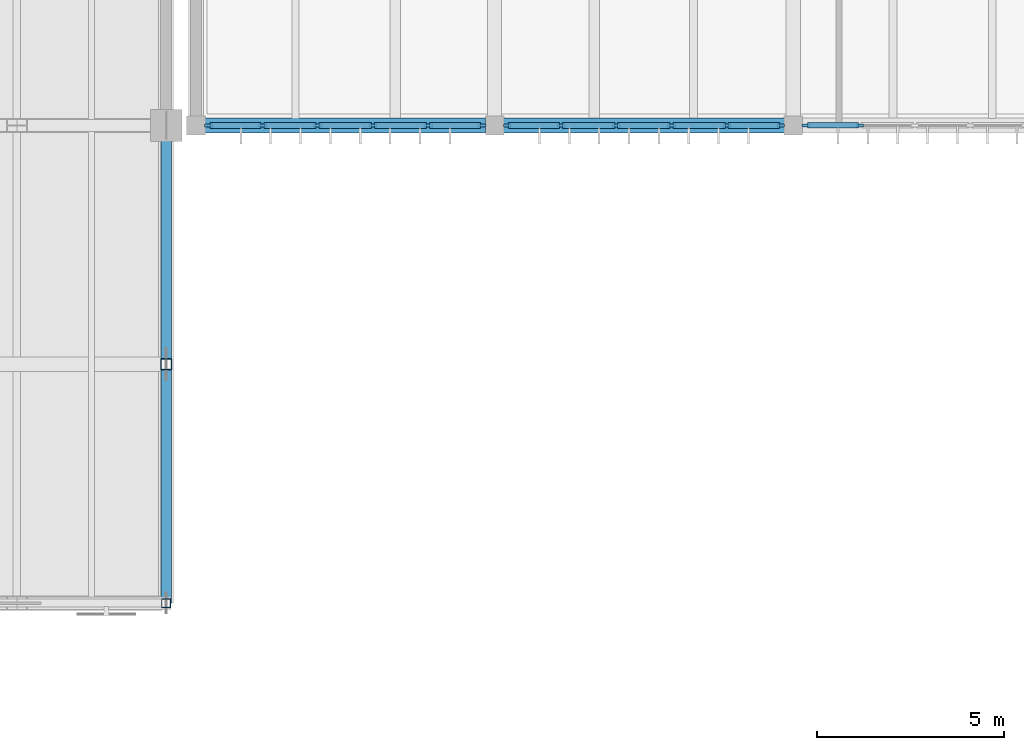
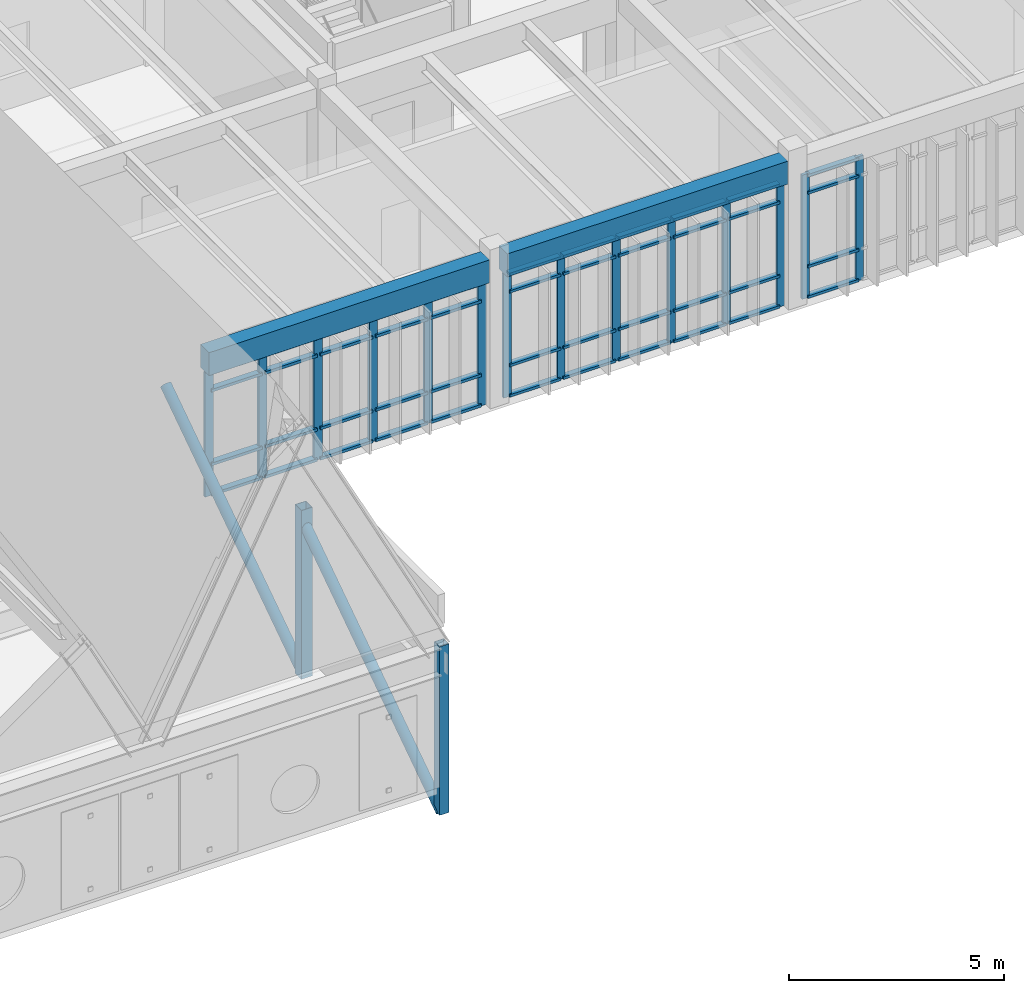
# One storey, part 15 of 72: 62 members, 2 beams, 3 elements without a shape of their own.
"""IFC4 building model written with IfcOpenShell, lengths in metres."""

from ifc_helpers import new_model, si_unit, direction, frame, origin, origin_2d, place, context, subcontext, project, spatial, rectangle, hollow_rectangle, hollow_circle, extrude, material, material_profile, profile_set, type_object, element, aggregate, save


model = new_model("IFC4")

# Units and contexts
model_context = context("Model", 3, precision=1e-05, world=origin(), true_north=direction((0.0, 1.0)))
body_context = subcontext(model_context, "Body", "Model", "MODEL_VIEW")
ifc_project = project(units=[si_unit("LENGTHUNIT", "METRE"), si_unit("AREAUNIT", "SQUARE_METRE"), si_unit("VOLUMEUNIT", "CUBIC_METRE"), si_unit("PLANEANGLEUNIT", "RADIAN"), si_unit("MASSUNIT", "GRAM", prefix="KILO")], contexts=[model_context])

# Site, building, storey
site_placement = place(None, origin())
site = spatial("IfcSite", under=ifc_project, at=site_placement, CompositionType="ELEMENT")
building_placement = place(site_placement, origin())
building = spatial("IfcBuilding", under=site, at=building_placement, Name="Tlaxcora Railside Police Headquarters", CompositionType="ELEMENT")
storey_placement = place(building_placement, frame((0.0, 0.0, 13.5)))
storey = spatial("IfcBuildingStorey", under=building, at=storey_placement, Name="L03", CompositionType="ELEMENT", Elevation=13.5)

# Curtain wall, members
ifc_material_1 = material(Name="Thermally broken low-E insulated glazing", Category="glass")
curtain_wall_type_1 = type_object("IfcCurtainWallType", Name="Unitised Curtain Wall Assembly CW-23", PredefinedType="NOTDEFINED", material=ifc_material_1)
curtain_wall_1_placement = place(storey_placement, origin())
curtain_wall_1 = element("IfcCurtainWall", 1, at=curtain_wall_1_placement, inside=storey, type_object=curtain_wall_type_1, Name="V7 L03 curtain wall 184", PredefinedType="NOTDEFINED")
ifc_material_2 = material(Name="Anodised aluminium framing", Category="aluminium")
ifc_material_profile_1 = material_profile(ifc_material_2, rectangle(XDim=0.080078125, YDim=0.219970703125, at=origin_2d()), Name="AL80X220")
ifc_profile_set_1 = profile_set([ifc_material_profile_1], Name="Anodised aluminium framing")
member_type_1 = type_object("IfcMemberType", Name="Curtain Wall Mullion CW-31", PredefinedType="MULLION", material=ifc_profile_set_1)
member_1_placement = place(storey_placement, frame((103.139892578125, 36.0, 0.0), z_axis=(0.0, 0.0, 1.0), x_axis=(0.0, 1.0, 0.0)))
member_1 = element("IfcMember", 2, at=member_1_placement, type_object=member_type_1, Name="CW mullion 1", PredefinedType="MULLION", context=body_context, shape_type="SweptSolid", body=[
    extrude(rectangle(XDim=0.080078125, YDim=0.219970703125, at=origin_2d()), origin(), (0.0, 0.0, 1.0), 3.52001953125),
])
member_2_placement = place(storey_placement, frame((104.580078125, 36.0, 0.0), z_axis=(0.0, 0.0, 1.0), x_axis=(0.0, 1.0, 0.0)))
member_2 = element("IfcMember", 3, at=member_2_placement, type_object=member_type_1, Name="CW mullion 2", PredefinedType="MULLION", context=body_context, shape_type="SweptSolid", body=[
    extrude(rectangle(XDim=0.080078125, YDim=0.219970703125, at=origin_2d()), origin(), (0.0, 0.0, 1.0), 3.52001953125),
])
member_3_placement = place(storey_placement, frame((106.06005859375, 36.0, 0.0), z_axis=(0.0, 0.0, 1.0), x_axis=(0.0, 1.0, 0.0)))
member_3 = element("IfcMember", 4, at=member_3_placement, type_object=member_type_1, Name="CW mullion 3", PredefinedType="MULLION", context=body_context, shape_type="SweptSolid", body=[
    extrude(rectangle(XDim=0.080078125, YDim=0.219970703125, at=origin_2d()), origin(), (0.0, 0.0, 1.0), 3.52001953125),
])
member_4_placement = place(storey_placement, frame((107.5400390625, 36.0, 0.0), z_axis=(0.0, 0.0, 1.0), x_axis=(0.0, 1.0, 0.0)))
member_4 = element("IfcMember", 5, at=member_4_placement, type_object=member_type_1, Name="CW mullion 4", PredefinedType="MULLION", context=body_context, shape_type="SweptSolid", body=[
    extrude(rectangle(XDim=0.080078125, YDim=0.219970703125, at=origin_2d()), origin(), (0.0, 0.0, 1.0), 3.52001953125),
])
member_5_placement = place(storey_placement, frame((109.02001953125, 36.0, 0.0), z_axis=(0.0, 0.0, 1.0), x_axis=(0.0, 1.0, 0.0)))
member_5 = element("IfcMember", 6, at=member_5_placement, type_object=member_type_1, Name="CW mullion 5", PredefinedType="MULLION", context=body_context, shape_type="SweptSolid", body=[
    extrude(rectangle(XDim=0.080078125, YDim=0.219970703125, at=origin_2d()), origin(), (0.0, 0.0, 1.0), 3.52001953125),
])
member_6_placement = place(storey_placement, frame((110.4599609375, 36.0, 0.0), z_axis=(0.0, 0.0, 1.0), x_axis=(0.0, 1.0, 0.0)))
member_6 = element("IfcMember", 7, at=member_6_placement, type_object=member_type_1, Name="CW mullion 6", PredefinedType="MULLION", context=body_context, shape_type="SweptSolid", body=[
    extrude(rectangle(XDim=0.080078125, YDim=0.219970703125, at=origin_2d()), origin(), (0.0, 0.0, 1.0), 3.52001953125),
])

curtain_wall_type_2 = type_object("IfcCurtainWallType", Name="Unitised Curtain Wall Assembly CW-38", PredefinedType="NOTDEFINED", material=ifc_material_1)
curtain_wall_2_placement = place(storey_placement, origin())
curtain_wall_2 = element("IfcCurtainWall", 8, at=curtain_wall_2_placement, inside=storey, type_object=curtain_wall_type_2, Name="V7 L03 curtain wall 185", PredefinedType="NOTDEFINED")
ifc_material_profile_2 = material_profile(ifc_material_2, rectangle(XDim=0.074951171875, YDim=0.205078125, at=origin_2d()), Name="AL75X205")
ifc_profile_set_2 = profile_set([ifc_material_profile_2], Name="Anodised aluminium framing")
member_type_2 = type_object("IfcMemberType", Name="Curtain Wall Mullion CW-32", PredefinedType="MULLION", material=ifc_profile_set_2)
member_7_placement = place(storey_placement, frame((111.137451171875, 36.0, 0.0), z_axis=(0.0, 0.0, 1.0), x_axis=(0.0, 1.0, 0.0)))
member_7 = element("IfcMember", 9, at=member_7_placement, type_object=member_type_2, Name="CW mullion 1", PredefinedType="MULLION", context=body_context, shape_type="SweptSolid", body=[
    extrude(rectangle(XDim=0.074951171875, YDim=0.205078125, at=origin_2d()), origin(), (0.0, 0.0, 1.0), 3.52001953125),
])
member_8_placement = place(storey_placement, frame((112.580078125, 36.0, 0.0), z_axis=(0.0, 0.0, 1.0), x_axis=(0.0, 1.0, 0.0)))
member_8 = element("IfcMember", 10, at=member_8_placement, type_object=member_type_2, Name="CW mullion 2", PredefinedType="MULLION", context=body_context, shape_type="SweptSolid", body=[
    extrude(rectangle(XDim=0.074951171875, YDim=0.205078125, at=origin_2d()), origin(), (0.0, 0.0, 1.0), 3.52001953125),
])
member_9_placement = place(storey_placement, frame((114.06005859375, 36.0, 0.0), z_axis=(0.0, 0.0, 1.0), x_axis=(0.0, 1.0, 0.0)))
member_9 = element("IfcMember", 11, at=member_9_placement, type_object=member_type_2, Name="CW mullion 3", PredefinedType="MULLION", context=body_context, shape_type="SweptSolid", body=[
    extrude(rectangle(XDim=0.074951171875, YDim=0.205078125, at=origin_2d()), origin(), (0.0, 0.0, 1.0), 3.52001953125),
])
member_10_placement = place(storey_placement, frame((115.5400390625, 36.0, 0.0), z_axis=(0.0, 0.0, 1.0), x_axis=(0.0, 1.0, 0.0)))
member_10 = element("IfcMember", 12, at=member_10_placement, type_object=member_type_2, Name="CW mullion 4", PredefinedType="MULLION", context=body_context, shape_type="SweptSolid", body=[
    extrude(rectangle(XDim=0.074951171875, YDim=0.205078125, at=origin_2d()), origin(), (0.0, 0.0, 1.0), 3.52001953125),
])
member_11_placement = place(storey_placement, frame((117.02001953125, 36.0, 0.0), z_axis=(0.0, 0.0, 1.0), x_axis=(0.0, 1.0, 0.0)))
member_11 = element("IfcMember", 13, at=member_11_placement, type_object=member_type_2, Name="CW mullion 5", PredefinedType="MULLION", context=body_context, shape_type="SweptSolid", body=[
    extrude(rectangle(XDim=0.074951171875, YDim=0.205078125, at=origin_2d()), origin(), (0.0, 0.0, 1.0), 3.52001953125),
])
member_12_placement = place(storey_placement, frame((118.46240234375, 36.0, 0.0), z_axis=(0.0, 0.0, 1.0), x_axis=(0.0, 1.0, 0.0)))
member_12 = element("IfcMember", 14, at=member_12_placement, type_object=member_type_2, Name="CW mullion 6", PredefinedType="MULLION", context=body_context, shape_type="SweptSolid", body=[
    extrude(rectangle(XDim=0.074951171875, YDim=0.205078125, at=origin_2d()), origin(), (0.0, 0.0, 1.0), 3.52001953125),
])

curtain_wall_type_3 = type_object("IfcCurtainWallType", Name="Unitised Curtain Wall Assembly CW-15", PredefinedType="NOTDEFINED", material=ifc_material_1)
curtain_wall_3_placement = place(storey_placement, origin())
curtain_wall_3 = element("IfcCurtainWall", 15, at=curtain_wall_3_placement, inside=storey, type_object=curtain_wall_type_3, Name="V7 L03 curtain wall 186", PredefinedType="NOTDEFINED")
ifc_material_profile_3 = material_profile(ifc_material_2, rectangle(XDim=0.074951171875, YDim=0.199951171875, at=origin_2d()), Name="AL75X200")
ifc_profile_set_3 = profile_set([ifc_material_profile_3], Name="Anodised aluminium framing")
member_type_3 = type_object("IfcMemberType", Name="Curtain Wall Mullion CW-58", PredefinedType="MULLION", material=ifc_profile_set_3)
member_13_placement = place(storey_placement, frame((119.137451171875, 36.0, 0.0), z_axis=(0.0, 0.0, 1.0), x_axis=(0.0, 1.0, 0.0)))
member_13 = element("IfcMember", 16, at=member_13_placement, type_object=member_type_3, Name="CW mullion 1", PredefinedType="MULLION", context=body_context, shape_type="SweptSolid", body=[
    extrude(rectangle(XDim=0.074951171875, YDim=0.199951171875, at=origin_2d()), origin(), (0.0, 0.0, 1.0), 3.52001953125),
])
member_14_placement = place(storey_placement, frame((120.580078125, 36.0, 0.0), z_axis=(0.0, 0.0, 1.0), x_axis=(0.0, 1.0, 0.0)))
member_14 = element("IfcMember", 17, at=member_14_placement, type_object=member_type_3, Name="CW mullion 2", PredefinedType="MULLION", context=body_context, shape_type="SweptSolid", body=[
    extrude(rectangle(XDim=0.074951171875, YDim=0.199951171875, at=origin_2d()), origin(), (0.0, 0.0, 1.0), 3.52001953125),
])
ifc_material_profile_4 = material_profile(ifc_material_2, rectangle(XDim=0.14990234375, YDim=0.074951171875, at=origin_2d()), Name="AL75X150")
ifc_profile_set_4 = profile_set([ifc_material_profile_4], Name="Anodised aluminium framing")
member_type_4 = type_object("IfcMemberType", Name="Curtain Wall Transom CW-28", PredefinedType="USERDEFINED", material=ifc_profile_set_4)
member_15_placement = place(storey_placement, frame((119.175048828125, 36.0, 0.03759765625), z_axis=(1.0, 0.0, 0.0), x_axis=(0.0, 1.0, 0.0)))
member_15 = element("IfcMember", 18, at=member_15_placement, type_object=member_type_4, Name="CW transom 1.1", ObjectType="TRANSOM", PredefinedType="USERDEFINED", context=body_context, shape_type="SweptSolid", body=[
    extrude(rectangle(XDim=0.14990234375, YDim=0.074951171875, at=origin_2d()), origin(), (0.0, 0.0, 1.0), 1.367431640625),
])
member_16_placement = place(storey_placement, frame((119.175048828125, 36.0, 0.89990234375), z_axis=(1.0, 0.0, 0.0), x_axis=(0.0, 1.0, 0.0)))
member_16 = element("IfcMember", 19, at=member_16_placement, type_object=member_type_4, Name="CW transom 1.2", ObjectType="TRANSOM", PredefinedType="USERDEFINED", context=body_context, shape_type="SweptSolid", body=[
    extrude(rectangle(XDim=0.14990234375, YDim=0.074951171875, at=origin_2d()), origin(), (0.0, 0.0, 1.0), 1.367431640625),
])
member_17_placement = place(storey_placement, frame((119.175048828125, 36.0, 2.989990234375), z_axis=(1.0, 0.0, 0.0), x_axis=(0.0, 1.0, 0.0)))
member_17 = element("IfcMember", 20, at=member_17_placement, type_object=member_type_4, Name="CW transom 1.3", ObjectType="TRANSOM", PredefinedType="USERDEFINED", context=body_context, shape_type="SweptSolid", body=[
    extrude(rectangle(XDim=0.14990234375, YDim=0.074951171875, at=origin_2d()), origin(), (0.0, 0.0, 1.0), 1.367431640625),
])
member_18_placement = place(storey_placement, frame((119.175048828125, 36.0, 3.482421875), z_axis=(1.0, 0.0, 0.0), x_axis=(0.0, 1.0, 0.0)))
member_18 = element("IfcMember", 21, at=member_18_placement, type_object=member_type_4, Name="CW transom 1.4", ObjectType="TRANSOM", PredefinedType="USERDEFINED", context=body_context, shape_type="SweptSolid", body=[
    extrude(rectangle(XDim=0.14990234375, YDim=0.074951171875, at=origin_2d()), origin(), (0.0, 0.0, 1.0), 1.367431640625),
])
aggregate(curtain_wall_3, [member_13, member_14, member_15, member_16, member_17, member_18])

# Member
ifc_material_profile_5 = material_profile(ifc_material_2, rectangle(XDim=0.155029296875, YDim=0.074951171875, at=origin_2d()), Name="AL75X155")
ifc_profile_set_5 = profile_set([ifc_material_profile_5], Name="Anodised aluminium framing")
member_type_5 = type_object("IfcMemberType", Name="Curtain Wall Transom CW-30", PredefinedType="USERDEFINED", material=ifc_profile_set_5)
member_19_placement = place(storey_placement, frame((111.175048828125, 36.0, 0.03759765625), z_axis=(1.0, 0.0, 0.0), x_axis=(0.0, 1.0, 0.0)))
member_19 = element("IfcMember", 22, at=member_19_placement, type_object=member_type_5, Name="CW transom 1.1", ObjectType="TRANSOM", PredefinedType="USERDEFINED", context=body_context, shape_type="SweptSolid", body=[
    extrude(rectangle(XDim=0.155029296875, YDim=0.074951171875, at=origin_2d()), origin(), (0.0, 0.0, 1.0), 1.367431640625),
])

member_20_placement = place(storey_placement, frame((111.175048828125, 36.0, 0.89990234375), z_axis=(1.0, 0.0, 0.0), x_axis=(0.0, 1.0, 0.0)))
member_20 = element("IfcMember", 23, at=member_20_placement, type_object=member_type_5, Name="CW transom 1.2", ObjectType="TRANSOM", PredefinedType="USERDEFINED", context=body_context, shape_type="SweptSolid", body=[
    extrude(rectangle(XDim=0.155029296875, YDim=0.074951171875, at=origin_2d()), origin(), (0.0, 0.0, 1.0), 1.367431640625),
])

member_21_placement = place(storey_placement, frame((111.175048828125, 36.0, 2.989990234375), z_axis=(1.0, 0.0, 0.0), x_axis=(0.0, 1.0, 0.0)))
member_21 = element("IfcMember", 24, at=member_21_placement, type_object=member_type_5, Name="CW transom 1.3", ObjectType="TRANSOM", PredefinedType="USERDEFINED", context=body_context, shape_type="SweptSolid", body=[
    extrude(rectangle(XDim=0.155029296875, YDim=0.074951171875, at=origin_2d()), origin(), (0.0, 0.0, 1.0), 1.367431640625),
])

member_22_placement = place(storey_placement, frame((111.175048828125, 36.0, 3.482421875), z_axis=(1.0, 0.0, 0.0), x_axis=(0.0, 1.0, 0.0)))
member_22 = element("IfcMember", 25, at=member_22_placement, type_object=member_type_5, Name="CW transom 1.4", ObjectType="TRANSOM", PredefinedType="USERDEFINED", context=body_context, shape_type="SweptSolid", body=[
    extrude(rectangle(XDim=0.155029296875, YDim=0.074951171875, at=origin_2d()), origin(), (0.0, 0.0, 1.0), 1.367431640625),
])

member_23_placement = place(storey_placement, frame((112.617431640625, 36.0, 0.03759765625), z_axis=(1.0, 0.0, 0.0), x_axis=(0.0, 1.0, 0.0)))
member_23 = element("IfcMember", 26, at=member_23_placement, type_object=member_type_5, Name="CW transom 2.1", ObjectType="TRANSOM", PredefinedType="USERDEFINED", context=body_context, shape_type="SweptSolid", body=[
    extrude(rectangle(XDim=0.155029296875, YDim=0.074951171875, at=origin_2d()), origin(), (0.0, 0.0, 1.0), 1.405029296875),
])

member_24_placement = place(storey_placement, frame((112.617431640625, 36.0, 0.89990234375), z_axis=(1.0, 0.0, 0.0), x_axis=(0.0, 1.0, 0.0)))
member_24 = element("IfcMember", 27, at=member_24_placement, type_object=member_type_5, Name="CW transom 2.2", ObjectType="TRANSOM", PredefinedType="USERDEFINED", context=body_context, shape_type="SweptSolid", body=[
    extrude(rectangle(XDim=0.155029296875, YDim=0.074951171875, at=origin_2d()), origin(), (0.0, 0.0, 1.0), 1.405029296875),
])

member_25_placement = place(storey_placement, frame((112.617431640625, 36.0, 2.989990234375), z_axis=(1.0, 0.0, 0.0), x_axis=(0.0, 1.0, 0.0)))
member_25 = element("IfcMember", 28, at=member_25_placement, type_object=member_type_5, Name="CW transom 2.3", ObjectType="TRANSOM", PredefinedType="USERDEFINED", context=body_context, shape_type="SweptSolid", body=[
    extrude(rectangle(XDim=0.155029296875, YDim=0.074951171875, at=origin_2d()), origin(), (0.0, 0.0, 1.0), 1.405029296875),
])

member_26_placement = place(storey_placement, frame((112.617431640625, 36.0, 3.482421875), z_axis=(1.0, 0.0, 0.0), x_axis=(0.0, 1.0, 0.0)))
member_26 = element("IfcMember", 29, at=member_26_placement, type_object=member_type_5, Name="CW transom 2.4", ObjectType="TRANSOM", PredefinedType="USERDEFINED", context=body_context, shape_type="SweptSolid", body=[
    extrude(rectangle(XDim=0.155029296875, YDim=0.074951171875, at=origin_2d()), origin(), (0.0, 0.0, 1.0), 1.405029296875),
])

member_27_placement = place(storey_placement, frame((114.097412109375, 36.0, 0.03759765625), z_axis=(1.0, 0.0, 0.0), x_axis=(0.0, 1.0, 0.0)))
member_27 = element("IfcMember", 30, at=member_27_placement, type_object=member_type_5, Name="CW transom 3.1", ObjectType="TRANSOM", PredefinedType="USERDEFINED", context=body_context, shape_type="SweptSolid", body=[
    extrude(rectangle(XDim=0.155029296875, YDim=0.074951171875, at=origin_2d()), origin(), (0.0, 0.0, 1.0), 1.405029296875),
])

member_28_placement = place(storey_placement, frame((114.097412109375, 36.0, 0.89990234375), z_axis=(1.0, 0.0, 0.0), x_axis=(0.0, 1.0, 0.0)))
member_28 = element("IfcMember", 31, at=member_28_placement, type_object=member_type_5, Name="CW transom 3.2", ObjectType="TRANSOM", PredefinedType="USERDEFINED", context=body_context, shape_type="SweptSolid", body=[
    extrude(rectangle(XDim=0.155029296875, YDim=0.074951171875, at=origin_2d()), origin(), (0.0, 0.0, 1.0), 1.405029296875),
])

member_29_placement = place(storey_placement, frame((114.097412109375, 36.0, 2.989990234375), z_axis=(1.0, 0.0, 0.0), x_axis=(0.0, 1.0, 0.0)))
member_29 = element("IfcMember", 32, at=member_29_placement, type_object=member_type_5, Name="CW transom 3.3", ObjectType="TRANSOM", PredefinedType="USERDEFINED", context=body_context, shape_type="SweptSolid", body=[
    extrude(rectangle(XDim=0.155029296875, YDim=0.074951171875, at=origin_2d()), origin(), (0.0, 0.0, 1.0), 1.405029296875),
])

member_30_placement = place(storey_placement, frame((114.097412109375, 36.0, 3.482421875), z_axis=(1.0, 0.0, 0.0), x_axis=(0.0, 1.0, 0.0)))
member_30 = element("IfcMember", 33, at=member_30_placement, type_object=member_type_5, Name="CW transom 3.4", ObjectType="TRANSOM", PredefinedType="USERDEFINED", context=body_context, shape_type="SweptSolid", body=[
    extrude(rectangle(XDim=0.155029296875, YDim=0.074951171875, at=origin_2d()), origin(), (0.0, 0.0, 1.0), 1.405029296875),
])

member_31_placement = place(storey_placement, frame((115.577392578125, 36.0, 0.03759765625), z_axis=(1.0, 0.0, 0.0), x_axis=(0.0, 1.0, 0.0)))
member_31 = element("IfcMember", 34, at=member_31_placement, type_object=member_type_5, Name="CW transom 4.1", ObjectType="TRANSOM", PredefinedType="USERDEFINED", context=body_context, shape_type="SweptSolid", body=[
    extrude(rectangle(XDim=0.155029296875, YDim=0.074951171875, at=origin_2d()), origin(), (0.0, 0.0, 1.0), 1.405029296875),
])

member_32_placement = place(storey_placement, frame((115.577392578125, 36.0, 0.89990234375), z_axis=(1.0, 0.0, 0.0), x_axis=(0.0, 1.0, 0.0)))
member_32 = element("IfcMember", 35, at=member_32_placement, type_object=member_type_5, Name="CW transom 4.2", ObjectType="TRANSOM", PredefinedType="USERDEFINED", context=body_context, shape_type="SweptSolid", body=[
    extrude(rectangle(XDim=0.155029296875, YDim=0.074951171875, at=origin_2d()), origin(), (0.0, 0.0, 1.0), 1.405029296875),
])

member_33_placement = place(storey_placement, frame((115.577392578125, 36.0, 2.989990234375), z_axis=(1.0, 0.0, 0.0), x_axis=(0.0, 1.0, 0.0)))
member_33 = element("IfcMember", 36, at=member_33_placement, type_object=member_type_5, Name="CW transom 4.3", ObjectType="TRANSOM", PredefinedType="USERDEFINED", context=body_context, shape_type="SweptSolid", body=[
    extrude(rectangle(XDim=0.155029296875, YDim=0.074951171875, at=origin_2d()), origin(), (0.0, 0.0, 1.0), 1.405029296875),
])

member_34_placement = place(storey_placement, frame((115.577392578125, 36.0, 3.482421875), z_axis=(1.0, 0.0, 0.0), x_axis=(0.0, 1.0, 0.0)))
member_34 = element("IfcMember", 37, at=member_34_placement, type_object=member_type_5, Name="CW transom 4.4", ObjectType="TRANSOM", PredefinedType="USERDEFINED", context=body_context, shape_type="SweptSolid", body=[
    extrude(rectangle(XDim=0.155029296875, YDim=0.074951171875, at=origin_2d()), origin(), (0.0, 0.0, 1.0), 1.405029296875),
])

member_35_placement = place(storey_placement, frame((117.0576171875, 36.0, 0.03759765625), z_axis=(1.0, 0.0, 0.0), x_axis=(0.0, 1.0, 0.0)))
member_35 = element("IfcMember", 38, at=member_35_placement, type_object=member_type_5, Name="CW transom 5.1", ObjectType="TRANSOM", PredefinedType="USERDEFINED", context=body_context, shape_type="SweptSolid", body=[
    extrude(rectangle(XDim=0.155029296875, YDim=0.074951171875, at=origin_2d()), origin(), (0.0, 0.0, 1.0), 1.367431640625),
])

member_36_placement = place(storey_placement, frame((117.0576171875, 36.0, 0.89990234375), z_axis=(1.0, 0.0, 0.0), x_axis=(0.0, 1.0, 0.0)))
member_36 = element("IfcMember", 39, at=member_36_placement, type_object=member_type_5, Name="CW transom 5.2", ObjectType="TRANSOM", PredefinedType="USERDEFINED", context=body_context, shape_type="SweptSolid", body=[
    extrude(rectangle(XDim=0.155029296875, YDim=0.074951171875, at=origin_2d()), origin(), (0.0, 0.0, 1.0), 1.367431640625),
])

member_37_placement = place(storey_placement, frame((117.0576171875, 36.0, 2.989990234375), z_axis=(1.0, 0.0, 0.0), x_axis=(0.0, 1.0, 0.0)))
member_37 = element("IfcMember", 40, at=member_37_placement, type_object=member_type_5, Name="CW transom 5.3", ObjectType="TRANSOM", PredefinedType="USERDEFINED", context=body_context, shape_type="SweptSolid", body=[
    extrude(rectangle(XDim=0.155029296875, YDim=0.074951171875, at=origin_2d()), origin(), (0.0, 0.0, 1.0), 1.367431640625),
])

member_38_placement = place(storey_placement, frame((117.0576171875, 36.0, 3.482421875), z_axis=(1.0, 0.0, 0.0), x_axis=(0.0, 1.0, 0.0)))
member_38 = element("IfcMember", 41, at=member_38_placement, type_object=member_type_5, Name="CW transom 5.4", ObjectType="TRANSOM", PredefinedType="USERDEFINED", context=body_context, shape_type="SweptSolid", body=[
    extrude(rectangle(XDim=0.155029296875, YDim=0.074951171875, at=origin_2d()), origin(), (0.0, 0.0, 1.0), 1.367431640625),
])

aggregate(curtain_wall_2, [member_7, member_8, member_9, member_10, member_11, member_12, member_19, member_20, member_21, member_22, member_23, member_24, member_25, member_26, member_27, member_28, member_29, member_30, member_31, member_32, member_33, member_34, member_35, member_36, member_37, member_38])

ifc_material_profile_6 = material_profile(ifc_material_2, rectangle(XDim=0.1650390625, YDim=0.080078125, at=origin_2d()), Name="AL80X165")
ifc_profile_set_6 = profile_set([ifc_material_profile_6], Name="Anodised aluminium framing")
member_type_6 = type_object("IfcMemberType", Name="Curtain Wall Transom CW-62", PredefinedType="USERDEFINED", material=ifc_profile_set_6)
member_39_placement = place(storey_placement, frame((103.179931640625, 36.0, 0.0400390625), z_axis=(1.0, 0.0, 0.0), x_axis=(0.0, 1.0, 0.0)))
member_39 = element("IfcMember", 42, at=member_39_placement, type_object=member_type_6, Name="CW transom 1.1", ObjectType="TRANSOM", PredefinedType="USERDEFINED", context=body_context, shape_type="SweptSolid", body=[
    extrude(rectangle(XDim=0.1650390625, YDim=0.080078125, at=origin_2d()), origin(), (0.0, 0.0, 1.0), 1.360107421875),
])

member_40_placement = place(storey_placement, frame((103.179931640625, 36.0, 0.89990234375), z_axis=(1.0, 0.0, 0.0), x_axis=(0.0, 1.0, 0.0)))
member_40 = element("IfcMember", 43, at=member_40_placement, type_object=member_type_6, Name="CW transom 1.2", ObjectType="TRANSOM", PredefinedType="USERDEFINED", context=body_context, shape_type="SweptSolid", body=[
    extrude(rectangle(XDim=0.1650390625, YDim=0.080078125, at=origin_2d()), origin(), (0.0, 0.0, 1.0), 1.360107421875),
])

member_41_placement = place(storey_placement, frame((103.179931640625, 36.0, 2.989990234375), z_axis=(1.0, 0.0, 0.0), x_axis=(0.0, 1.0, 0.0)))
member_41 = element("IfcMember", 44, at=member_41_placement, type_object=member_type_6, Name="CW transom 1.3", ObjectType="TRANSOM", PredefinedType="USERDEFINED", context=body_context, shape_type="SweptSolid", body=[
    extrude(rectangle(XDim=0.1650390625, YDim=0.080078125, at=origin_2d()), origin(), (0.0, 0.0, 1.0), 1.360107421875),
])

member_42_placement = place(storey_placement, frame((103.179931640625, 36.0, 3.47998046875), z_axis=(1.0, 0.0, 0.0), x_axis=(0.0, 1.0, 0.0)))
member_42 = element("IfcMember", 45, at=member_42_placement, type_object=member_type_6, Name="CW transom 1.4", ObjectType="TRANSOM", PredefinedType="USERDEFINED", context=body_context, shape_type="SweptSolid", body=[
    extrude(rectangle(XDim=0.1650390625, YDim=0.080078125, at=origin_2d()), origin(), (0.0, 0.0, 1.0), 1.360107421875),
])

member_43_placement = place(storey_placement, frame((104.6201171875, 36.0, 0.0400390625), z_axis=(1.0, 0.0, 0.0), x_axis=(0.0, 1.0, 0.0)))
member_43 = element("IfcMember", 46, at=member_43_placement, type_object=member_type_6, Name="CW transom 2.1", ObjectType="TRANSOM", PredefinedType="USERDEFINED", context=body_context, shape_type="SweptSolid", body=[
    extrude(rectangle(XDim=0.1650390625, YDim=0.080078125, at=origin_2d()), origin(), (0.0, 0.0, 1.0), 1.39990234375),
])

member_44_placement = place(storey_placement, frame((104.6201171875, 36.0, 0.89990234375), z_axis=(1.0, 0.0, 0.0), x_axis=(0.0, 1.0, 0.0)))
member_44 = element("IfcMember", 47, at=member_44_placement, type_object=member_type_6, Name="CW transom 2.2", ObjectType="TRANSOM", PredefinedType="USERDEFINED", context=body_context, shape_type="SweptSolid", body=[
    extrude(rectangle(XDim=0.1650390625, YDim=0.080078125, at=origin_2d()), origin(), (0.0, 0.0, 1.0), 1.39990234375),
])

member_45_placement = place(storey_placement, frame((104.6201171875, 36.0, 2.989990234375), z_axis=(1.0, 0.0, 0.0), x_axis=(0.0, 1.0, 0.0)))
member_45 = element("IfcMember", 48, at=member_45_placement, type_object=member_type_6, Name="CW transom 2.3", ObjectType="TRANSOM", PredefinedType="USERDEFINED", context=body_context, shape_type="SweptSolid", body=[
    extrude(rectangle(XDim=0.1650390625, YDim=0.080078125, at=origin_2d()), origin(), (0.0, 0.0, 1.0), 1.39990234375),
])

member_46_placement = place(storey_placement, frame((104.6201171875, 36.0, 3.47998046875), z_axis=(1.0, 0.0, 0.0), x_axis=(0.0, 1.0, 0.0)))
member_46 = element("IfcMember", 49, at=member_46_placement, type_object=member_type_6, Name="CW transom 2.4", ObjectType="TRANSOM", PredefinedType="USERDEFINED", context=body_context, shape_type="SweptSolid", body=[
    extrude(rectangle(XDim=0.1650390625, YDim=0.080078125, at=origin_2d()), origin(), (0.0, 0.0, 1.0), 1.39990234375),
])

member_47_placement = place(storey_placement, frame((106.10009765625, 36.0, 0.0400390625), z_axis=(1.0, 0.0, 0.0), x_axis=(0.0, 1.0, 0.0)))
member_47 = element("IfcMember", 50, at=member_47_placement, type_object=member_type_6, Name="CW transom 3.1", ObjectType="TRANSOM", PredefinedType="USERDEFINED", context=body_context, shape_type="SweptSolid", body=[
    extrude(rectangle(XDim=0.1650390625, YDim=0.080078125, at=origin_2d()), origin(), (0.0, 0.0, 1.0), 1.39990234375),
])

member_48_placement = place(storey_placement, frame((106.10009765625, 36.0, 0.89990234375), z_axis=(1.0, 0.0, 0.0), x_axis=(0.0, 1.0, 0.0)))
member_48 = element("IfcMember", 51, at=member_48_placement, type_object=member_type_6, Name="CW transom 3.2", ObjectType="TRANSOM", PredefinedType="USERDEFINED", context=body_context, shape_type="SweptSolid", body=[
    extrude(rectangle(XDim=0.1650390625, YDim=0.080078125, at=origin_2d()), origin(), (0.0, 0.0, 1.0), 1.39990234375),
])

member_49_placement = place(storey_placement, frame((106.10009765625, 36.0, 2.989990234375), z_axis=(1.0, 0.0, 0.0), x_axis=(0.0, 1.0, 0.0)))
member_49 = element("IfcMember", 52, at=member_49_placement, type_object=member_type_6, Name="CW transom 3.3", ObjectType="TRANSOM", PredefinedType="USERDEFINED", context=body_context, shape_type="SweptSolid", body=[
    extrude(rectangle(XDim=0.1650390625, YDim=0.080078125, at=origin_2d()), origin(), (0.0, 0.0, 1.0), 1.39990234375),
])

member_50_placement = place(storey_placement, frame((106.10009765625, 36.0, 3.47998046875), z_axis=(1.0, 0.0, 0.0), x_axis=(0.0, 1.0, 0.0)))
member_50 = element("IfcMember", 53, at=member_50_placement, type_object=member_type_6, Name="CW transom 3.4", ObjectType="TRANSOM", PredefinedType="USERDEFINED", context=body_context, shape_type="SweptSolid", body=[
    extrude(rectangle(XDim=0.1650390625, YDim=0.080078125, at=origin_2d()), origin(), (0.0, 0.0, 1.0), 1.39990234375),
])

member_51_placement = place(storey_placement, frame((107.580078125, 36.0, 0.0400390625), z_axis=(1.0, 0.0, 0.0), x_axis=(0.0, 1.0, 0.0)))
member_51 = element("IfcMember", 54, at=member_51_placement, type_object=member_type_6, Name="CW transom 4.1", ObjectType="TRANSOM", PredefinedType="USERDEFINED", context=body_context, shape_type="SweptSolid", body=[
    extrude(rectangle(XDim=0.1650390625, YDim=0.080078125, at=origin_2d()), origin(), (0.0, 0.0, 1.0), 1.39990234375),
])

member_52_placement = place(storey_placement, frame((107.580078125, 36.0, 0.89990234375), z_axis=(1.0, 0.0, 0.0), x_axis=(0.0, 1.0, 0.0)))
member_52 = element("IfcMember", 55, at=member_52_placement, type_object=member_type_6, Name="CW transom 4.2", ObjectType="TRANSOM", PredefinedType="USERDEFINED", context=body_context, shape_type="SweptSolid", body=[
    extrude(rectangle(XDim=0.1650390625, YDim=0.080078125, at=origin_2d()), origin(), (0.0, 0.0, 1.0), 1.39990234375),
])

member_53_placement = place(storey_placement, frame((107.580078125, 36.0, 2.989990234375), z_axis=(1.0, 0.0, 0.0), x_axis=(0.0, 1.0, 0.0)))
member_53 = element("IfcMember", 56, at=member_53_placement, type_object=member_type_6, Name="CW transom 4.3", ObjectType="TRANSOM", PredefinedType="USERDEFINED", context=body_context, shape_type="SweptSolid", body=[
    extrude(rectangle(XDim=0.1650390625, YDim=0.080078125, at=origin_2d()), origin(), (0.0, 0.0, 1.0), 1.39990234375),
])

member_54_placement = place(storey_placement, frame((107.580078125, 36.0, 3.47998046875), z_axis=(1.0, 0.0, 0.0), x_axis=(0.0, 1.0, 0.0)))
member_54 = element("IfcMember", 57, at=member_54_placement, type_object=member_type_6, Name="CW transom 4.4", ObjectType="TRANSOM", PredefinedType="USERDEFINED", context=body_context, shape_type="SweptSolid", body=[
    extrude(rectangle(XDim=0.1650390625, YDim=0.080078125, at=origin_2d()), origin(), (0.0, 0.0, 1.0), 1.39990234375),
])

member_55_placement = place(storey_placement, frame((109.06005859375, 36.0, 0.0400390625), z_axis=(1.0, 0.0, 0.0), x_axis=(0.0, 1.0, 0.0)))
member_55 = element("IfcMember", 58, at=member_55_placement, type_object=member_type_6, Name="CW transom 5.1", ObjectType="TRANSOM", PredefinedType="USERDEFINED", context=body_context, shape_type="SweptSolid", body=[
    extrude(rectangle(XDim=0.1650390625, YDim=0.080078125, at=origin_2d()), origin(), (0.0, 0.0, 1.0), 1.35986328125),
])

member_56_placement = place(storey_placement, frame((109.06005859375, 36.0, 0.89990234375), z_axis=(1.0, 0.0, 0.0), x_axis=(0.0, 1.0, 0.0)))
member_56 = element("IfcMember", 59, at=member_56_placement, type_object=member_type_6, Name="CW transom 5.2", ObjectType="TRANSOM", PredefinedType="USERDEFINED", context=body_context, shape_type="SweptSolid", body=[
    extrude(rectangle(XDim=0.1650390625, YDim=0.080078125, at=origin_2d()), origin(), (0.0, 0.0, 1.0), 1.35986328125),
])

member_57_placement = place(storey_placement, frame((109.06005859375, 36.0, 2.989990234375), z_axis=(1.0, 0.0, 0.0), x_axis=(0.0, 1.0, 0.0)))
member_57 = element("IfcMember", 60, at=member_57_placement, type_object=member_type_6, Name="CW transom 5.3", ObjectType="TRANSOM", PredefinedType="USERDEFINED", context=body_context, shape_type="SweptSolid", body=[
    extrude(rectangle(XDim=0.1650390625, YDim=0.080078125, at=origin_2d()), origin(), (0.0, 0.0, 1.0), 1.35986328125),
])

member_58_placement = place(storey_placement, frame((109.06005859375, 36.0, 3.47998046875), z_axis=(1.0, 0.0, 0.0), x_axis=(0.0, 1.0, 0.0)))
member_58 = element("IfcMember", 61, at=member_58_placement, type_object=member_type_6, Name="CW transom 5.4", ObjectType="TRANSOM", PredefinedType="USERDEFINED", context=body_context, shape_type="SweptSolid", body=[
    extrude(rectangle(XDim=0.1650390625, YDim=0.080078125, at=origin_2d()), origin(), (0.0, 0.0, 1.0), 1.35986328125),
])

aggregate(curtain_wall_1, [member_1, member_2, member_3, member_4, member_5, member_6, member_39, member_40, member_41, member_42, member_43, member_44, member_45, member_46, member_47, member_48, member_49, member_50, member_51, member_52, member_53, member_54, member_55, member_56, member_57, member_58])

# Members
ifc_material_3 = material(Name="Steel ASTM A992 Grade 50", Category="steel")
ifc_material_profile_7 = material_profile(ifc_material_3, hollow_circle(Radius=0.136474609375, WallThickness=0.011962890625, at=origin_2d()), Name="CHS273X12")
ifc_profile_set_7 = profile_set([ifc_material_profile_7], Name="Steel ASTM A992 Grade 50")
member_type_7 = type_object("IfcMemberType", Name="Diagonal Brace Member MB-16", PredefinedType="BRACE", material=ifc_profile_set_7)
member_59_placement = place(storey_placement, frame((102.0, 36.0, 3.52001953125), z_axis=(0.0, -0.828840609912, -0.559484801724), x_axis=(1.0, 0.0, 0.0)))
element("IfcMember", 62, at=member_59_placement, inside=storey, type_object=member_type_7, Name="Truss TR-4 L03 web diagonal 4", PredefinedType="BRACE", context=body_context, shape_type="SweptSolid", body=[
    extrude(hollow_circle(Radius=0.136474609375, WallThickness=0.011962890625, at=origin_2d()), origin(), (0.0, 0.0, 1.0), 7.721435546875),
])
member_60_placement = place(storey_placement, frame((102.0, 29.60009765625, 3.52001953125), z_axis=(0.0, -0.828850506768, -0.559470139892), x_axis=(1.0, 0.0, 0.0)))
element("IfcMember", 63, at=member_60_placement, inside=storey, type_object=member_type_7, Name="Truss TR-4 L03 web diagonal 5", PredefinedType="BRACE", context=body_context, shape_type="SweptSolid", body=[
    extrude(hollow_circle(Radius=0.136474609375, WallThickness=0.011962890625, at=origin_2d()), origin(), (0.0, 0.0, 1.0), 7.7216796875),
])

# Beams
ifc_material_4 = material(Name="Concrete C40/50", Category="concrete")
ifc_material_profile_8 = material_profile(ifc_material_4, rectangle(XDim=0.39990234375, YDim=0.64990234375, at=origin_2d()), Name="RC400X650")
ifc_profile_set_8 = profile_set([ifc_material_profile_8], Name="Concrete C40/50")
beam_type = type_object("IfcBeamType", Name="Perimeter Spandrel Beam BM-46", PredefinedType="SPANDREL", material=ifc_profile_set_8)
for number, where, z_axis, x_axis, name in (
    (64, (103.0400390625, 36.0, 3.864990234375), (1.0, 0.0, 0.0), (0.0, 1.0, 0.0), "V7 L03 X-girder Y=36.0"),
    (65, (111.0400390625, 36.0, 3.864990234375), (1.0, 0.0, 0.0), (0.0, 1.0, 0.0), "V7 L03 X-girder Y=36.0"),
):
    element("IfcBeam", number, at=place(storey_placement, frame(where, z_axis=z_axis, x_axis=x_axis)), inside=storey, type_object=beam_type, Name=name, PredefinedType="SPANDREL", context=body_context, shape_type="SweptSolid", body=[
        extrude(rectangle(XDim=0.39990234375, YDim=0.64990234375, at=origin_2d()), origin(), (0.0, 0.0, 1.0), 7.52001953125),
    ])

# Members
ifc_material_profile_9 = material_profile(ifc_material_3, hollow_rectangle(XDim=0.25, YDim=0.25, WallThickness=0.011962890625, at=origin_2d()), Name="HSS250X250X12")
ifc_profile_set_9 = profile_set([ifc_material_profile_9], Name="Steel ASTM A992 Grade 50")
member_type_8 = type_object("IfcMemberType", Name="Truss Vertical Post MB-22", PredefinedType="POST", material=ifc_profile_set_9)
member_61_placement = place(storey_placement, frame((102.0, 23.199951171875, -0.800048828125), z_axis=(0.0, 0.0, 1.0), x_axis=(1.0, 0.0, 0.0)))
element("IfcMember", 66, at=member_61_placement, inside=storey, type_object=member_type_8, Name="Truss TR-4 L03 post Y=23.2", PredefinedType="POST", context=body_context, shape_type="SweptSolid", body=[
    extrude(hollow_rectangle(XDim=0.25, YDim=0.25, WallThickness=0.011962890625, at=origin_2d()), origin(), (0.0, 0.0, 1.0), 4.780029296875),
])
ifc_material_profile_10 = material_profile(ifc_material_3, hollow_rectangle(XDim=0.300048828125, YDim=0.300048828125, WallThickness=0.011962890625, at=origin_2d()), Name="HSS300X300X12")
ifc_profile_set_10 = profile_set([ifc_material_profile_10], Name="Steel ASTM A992 Grade 50")
member_type_9 = type_object("IfcMemberType", Name="Truss Vertical Post MB-44", PredefinedType="POST", material=ifc_profile_set_10)
member_62_placement = place(storey_placement, frame((102.0, 29.60009765625, -0.800048828125), z_axis=(0.0, 0.0, 1.0), x_axis=(1.0, 0.0, 0.0)))
element("IfcMember", 67, at=member_62_placement, inside=storey, type_object=member_type_9, Name="Truss TR-4 L03 post Y=29.6", PredefinedType="POST", context=body_context, shape_type="SweptSolid", body=[
    extrude(hollow_rectangle(XDim=0.300048828125, YDim=0.300048828125, WallThickness=0.011962890625, at=origin_2d()), origin(), (0.0, 0.0, 1.0), 4.780029296875),
])

save(model, "model.ifc")
